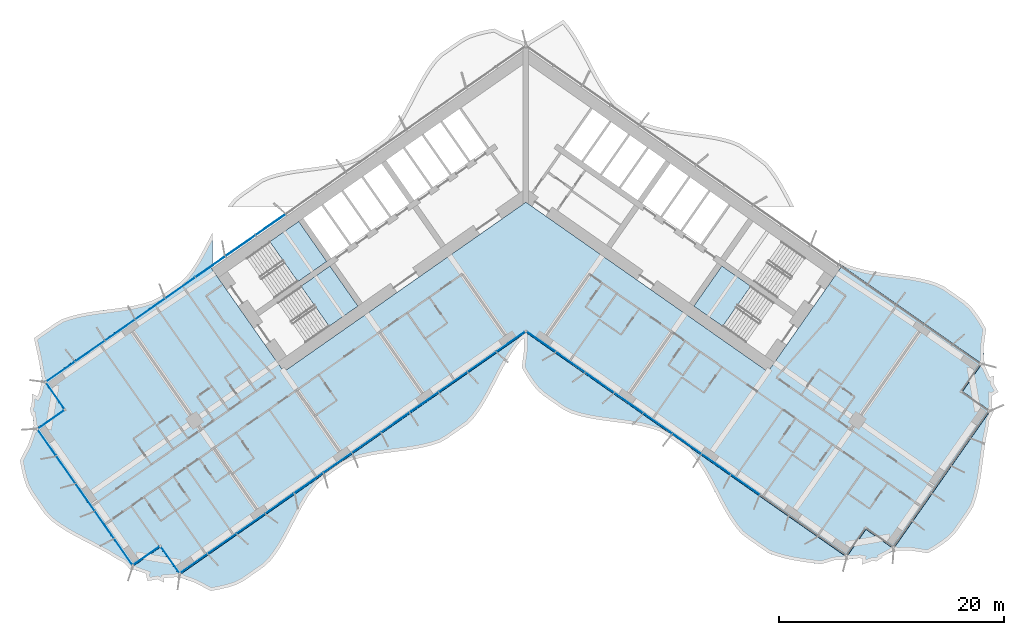
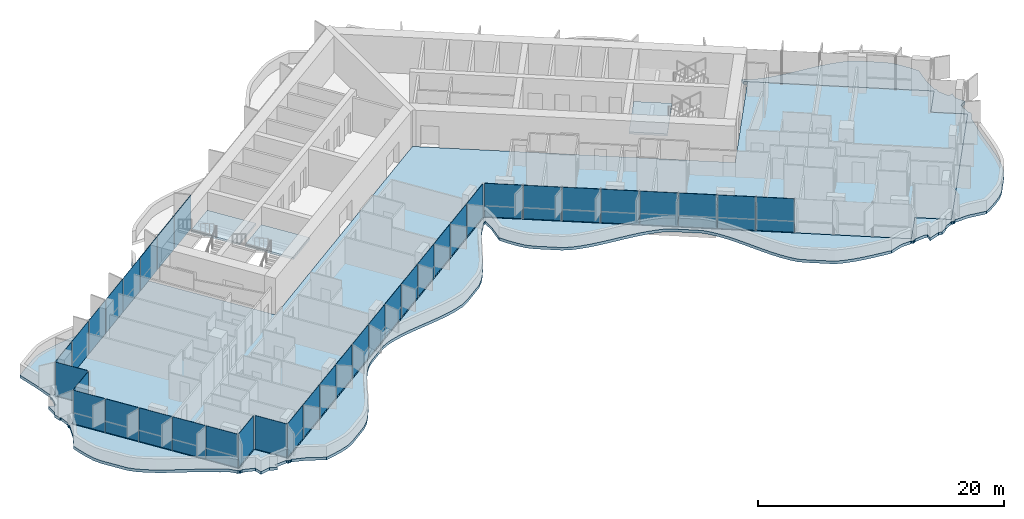
# One storey, part 10 of 24: 37 plates, 5 slabs, 5 elements without a shape of their own.
"""IFC4 building model written with IfcOpenShell, lengths in metres."""

from ifc_helpers import new_model, si_unit, direction, frame, origin, origin_2d, place, context, subcontext, project, spatial, polyline, rectangle, outline, extrude, material, layer, layer_set, type_object, element, aggregate, save


model = new_model("IFC4")

# Units and contexts
model_context = context("Model", 3, precision=1e-05, world=origin(), true_north=direction((0.0, 1.0)))
body_context = subcontext(model_context, "Body", "Model", "MODEL_VIEW")
ifc_project = project(units=[si_unit("LENGTHUNIT", "METRE"), si_unit("AREAUNIT", "SQUARE_METRE"), si_unit("VOLUMEUNIT", "CUBIC_METRE"), si_unit("PLANEANGLEUNIT", "RADIAN"), si_unit("MASSUNIT", "GRAM", prefix="KILO")], contexts=[model_context])

# Site, building, storey
site_placement = place(None, origin())
site = spatial("IfcSite", under=ifc_project, at=site_placement, CompositionType="ELEMENT")
building_placement = place(site_placement, origin())
building = spatial("IfcBuilding", under=site, at=building_placement, Name="Tel Ilan Convention Tower", CompositionType="ELEMENT")
storey_placement = place(building_placement, frame((0.0, 0.0, 90.5)))
storey = spatial("IfcBuildingStorey", under=building, at=storey_placement, Name="L18", CompositionType="ELEMENT", Elevation=90.5)

# Curtain wall, plates
ifc_material_1 = material(Name="Aluminium, bronze anodised", Category="aluminium")
curtain_wall_type_1 = type_object("IfcCurtainWallType", Name="CW1 UNITISED CURTAIN WALL, HOTEL TINTED GLASS", PredefinedType="NOTDEFINED", material=ifc_material_1)
curtain_wall_1_placement = place(storey_placement, origin())
curtain_wall_1 = element("IfcCurtainWall", 1, at=curtain_wall_1_placement, inside=storey, type_object=curtain_wall_type_1, Name="Curtain wall CW1-16.02", PredefinedType="NOTDEFINED")
ifc_material_2 = material(Name="Glass, bronze tinted, two-ply unitised", Category="glass")
ifc_layer_1 = layer(ifc_material_2, 0.028076171875)
ifc_layer_set_1 = layer_set([ifc_layer_1], Name="CW HOTEL GLASS PANEL 28")
plate_type_1 = type_object("IfcPlateType", Name="CW HOTEL GLASS PANEL 28", PredefinedType="CURTAIN_PANEL", material=ifc_layer_set_1)
plate_1_placement = place(storey_placement, frame((-30.765869140625, -8.846435546875, 0.0), z_axis=(0.0, 0.0, 1.0), x_axis=(-0.819152044289, -0.573576436351, 0.0)))
plate_1 = element("IfcPlate", 2, at=plate_1_placement, type_object=plate_type_1, Name="Glass panel", PredefinedType="CURTAIN_PANEL", context=body_context, shape_type="SweptSolid", body=[
    extrude(rectangle(XDim=3.2119140625, YDim=0.028076171875, at=origin_2d()), origin(), (0.0, 0.0, 1.0), 3.320068359375),
])
plate_2_placement = place(storey_placement, frame((-33.446044921875, -10.72314453125, 0.0), z_axis=(0.0, 0.0, 1.0), x_axis=(-0.819152044289, -0.573576436351, 0.0)))
plate_2 = element("IfcPlate", 3, at=plate_2_placement, type_object=plate_type_1, Name="Glass panel", PredefinedType="CURTAIN_PANEL", context=body_context, shape_type="SweptSolid", body=[
    extrude(rectangle(XDim=3.2119140625, YDim=0.028076171875, at=origin_2d()), origin(), (0.0, 0.0, 1.0), 3.320068359375),
])
plate_3_placement = place(storey_placement, frame((-36.12646484375, -12.599853515625, 0.0), z_axis=(0.0, 0.0, 1.0), x_axis=(-0.819152044289, -0.573576436351, 0.0)))
plate_3 = element("IfcPlate", 4, at=plate_3_placement, type_object=plate_type_1, Name="Glass panel", PredefinedType="CURTAIN_PANEL", context=body_context, shape_type="SweptSolid", body=[
    extrude(rectangle(XDim=3.2119140625, YDim=0.028076171875, at=origin_2d()), origin(), (0.0, 0.0, 1.0), 3.320068359375),
])
plate_4_placement = place(storey_placement, frame((-38.806640625, -14.4765625, 0.0), z_axis=(0.0, 0.0, 1.0), x_axis=(-0.819152044289, -0.573576436351, 0.0)))
plate_4 = element("IfcPlate", 5, at=plate_4_placement, type_object=plate_type_1, Name="Glass panel", PredefinedType="CURTAIN_PANEL", context=body_context, shape_type="SweptSolid", body=[
    extrude(rectangle(XDim=3.2119140625, YDim=0.028076171875, at=origin_2d()), origin(), (0.0, 0.0, 1.0), 3.320068359375),
])
plate_5_placement = place(storey_placement, frame((-41.448486328125, -16.326416015625, 0.0), z_axis=(0.0, 0.0, 1.0), x_axis=(-0.819152044289, -0.573576436351, 0.0)))
plate_5 = element("IfcPlate", 6, at=plate_5_placement, type_object=plate_type_1, Name="Glass panel", PredefinedType="CURTAIN_PANEL", context=body_context, shape_type="SweptSolid", body=[
    extrude(rectangle(XDim=3.117919921875, YDim=0.028076171875, at=origin_2d()), origin(), (0.0, 0.0, 1.0), 3.320068359375),
])
plate_6_placement = place(storey_placement, frame((-41.90673828125, -18.431640625, 0.0), z_axis=(0.0, 0.0, 1.0), x_axis=(0.573576436351, -0.819152044289, 0.0)))
plate_6 = element("IfcPlate", 7, at=plate_6_placement, type_object=plate_type_1, Name="Glass panel", PredefinedType="CURTAIN_PANEL", context=body_context, shape_type="SweptSolid", body=[
    extrude(rectangle(XDim=2.875, YDim=0.028076171875, at=origin_2d()), origin(), (0.0, 0.0, 1.0), 3.320068359375),
])
plate_7_placement = place(storey_placement, frame((-42.28466796875, -20.57421875, 0.0), z_axis=(0.0, 0.0, 1.0), x_axis=(-0.819152044289, -0.573576436351, 0.0)))
plate_7 = element("IfcPlate", 8, at=plate_7_placement, type_object=plate_type_1, Name="Glass panel", PredefinedType="CURTAIN_PANEL", context=body_context, shape_type="SweptSolid", body=[
    extrude(rectangle(XDim=2.875, YDim=0.028076171875, at=origin_2d()), origin(), (0.0, 0.0, 1.0), 3.320068359375),
])
plate_8_placement = place(storey_placement, frame((-42.65185546875, -22.597900390625, 0.0), z_axis=(0.0, 0.0, 1.0), x_axis=(0.573576436351, -0.819152044289, 0.0)))
plate_8 = element("IfcPlate", 9, at=plate_8_placement, type_object=plate_type_1, Name="Glass panel", PredefinedType="CURTAIN_PANEL", context=body_context, shape_type="SweptSolid", body=[
    extrude(rectangle(XDim=2.845947265625, YDim=0.028076171875, at=origin_2d()), origin(), (0.0, 0.0, 1.0), 3.320068359375),
])
plate_9_placement = place(storey_placement, frame((-40.9580078125, -25.016845703125, 0.0), z_axis=(0.0, 0.0, 1.0), x_axis=(0.573576436351, -0.819152044289, 0.0)))
plate_9 = element("IfcPlate", 10, at=plate_9_placement, type_object=plate_type_1, Name="Glass panel", PredefinedType="CURTAIN_PANEL", context=body_context, shape_type="SweptSolid", body=[
    extrude(rectangle(XDim=2.93994140625, YDim=0.028076171875, at=origin_2d()), origin(), (0.0, 0.0, 1.0), 3.320068359375),
])
plate_10_placement = place(storey_placement, frame((-39.2373046875, -27.474365234375, 0.0), z_axis=(0.0, 0.0, 1.0), x_axis=(0.573576436351, -0.819152044289, 0.0)))
plate_10 = element("IfcPlate", 11, at=plate_10_placement, type_object=plate_type_1, Name="Glass panel", PredefinedType="CURTAIN_PANEL", context=body_context, shape_type="SweptSolid", body=[
    extrude(rectangle(XDim=2.93994140625, YDim=0.028076171875, at=origin_2d()), origin(), (0.0, 0.0, 1.0), 3.320068359375),
])
plate_11_placement = place(storey_placement, frame((-37.5166015625, -29.931884765625, 0.0), z_axis=(0.0, 0.0, 1.0), x_axis=(0.573576436351, -0.819152044289, 0.0)))
plate_11 = element("IfcPlate", 12, at=plate_11_placement, type_object=plate_type_1, Name="Glass panel", PredefinedType="CURTAIN_PANEL", context=body_context, shape_type="SweptSolid", body=[
    extrude(rectangle(XDim=2.93994140625, YDim=0.028076171875, at=origin_2d()), origin(), (0.0, 0.0, 1.0), 3.320068359375),
])
plate_12_placement = place(storey_placement, frame((-35.822998046875, -32.350830078125, 0.0), z_axis=(0.0, 0.0, 1.0), x_axis=(0.573576436351, -0.819152044289, 0.0)))
plate_12 = element("IfcPlate", 13, at=plate_12_placement, type_object=plate_type_1, Name="Glass panel", PredefinedType="CURTAIN_PANEL", context=body_context, shape_type="SweptSolid", body=[
    extrude(rectangle(XDim=2.845947265625, YDim=0.028076171875, at=origin_2d()), origin(), (0.0, 0.0, 1.0), 3.320068359375),
])
plate_13_placement = place(storey_placement, frame((-33.795654296875, -32.69775390625, 0.0), z_axis=(0.0, 0.0, 1.0), x_axis=(0.819152044289, 0.573576436351, 0.0)))
plate_13 = element("IfcPlate", 14, at=plate_13_placement, type_object=plate_type_1, Name="Glass panel", PredefinedType="CURTAIN_PANEL", context=body_context, shape_type="SweptSolid", body=[
    extrude(rectangle(XDim=2.875, YDim=0.028076171875, at=origin_2d()), origin(), (0.0, 0.0, 1.0), 3.320068359375),
])
plate_14_placement = place(storey_placement, frame((-31.653076171875, -33.07568359375, 0.0), z_axis=(0.0, 0.0, 1.0), x_axis=(0.573576436351, -0.819152044289, 0.0)))
plate_14 = element("IfcPlate", 15, at=plate_14_placement, type_object=plate_type_1, Name="Glass panel", PredefinedType="CURTAIN_PANEL", context=body_context, shape_type="SweptSolid", body=[
    extrude(rectangle(XDim=2.875, YDim=0.028076171875, at=origin_2d()), origin(), (0.0, 0.0, 1.0), 3.320068359375),
])
plate_15_placement = place(storey_placement, frame((-29.5732421875, -33.4033203125, 0.0), z_axis=(0.0, 0.0, 1.0), x_axis=(0.819152044289, 0.573576436351, 0.0)))
plate_15 = element("IfcPlate", 16, at=plate_15_placement, type_object=plate_type_1, Name="Glass panel", PredefinedType="CURTAIN_PANEL", context=body_context, shape_type="SweptSolid", body=[
    extrude(rectangle(XDim=2.9833984375, YDim=0.028076171875, at=origin_2d()), origin(), (0.0, 0.0, 1.0), 3.320068359375),
])
plate_16_placement = place(storey_placement, frame((-27.041748046875, -31.630859375, 0.0), z_axis=(0.0, 0.0, 1.0), x_axis=(0.819152044289, 0.573576436351, 0.0)))
plate_16 = element("IfcPlate", 17, at=plate_16_placement, type_object=plate_type_1, Name="Glass panel", PredefinedType="CURTAIN_PANEL", context=body_context, shape_type="SweptSolid", body=[
    extrude(rectangle(XDim=3.077392578125, YDim=0.028076171875, at=origin_2d()), origin(), (0.0, 0.0, 1.0), 3.320068359375),
])
plate_17_placement = place(storey_placement, frame((-24.4716796875, -29.831298828125, 0.0), z_axis=(0.0, 0.0, 1.0), x_axis=(0.819152044289, 0.573576436351, 0.0)))
plate_17 = element("IfcPlate", 18, at=plate_17_placement, type_object=plate_type_1, Name="Glass panel", PredefinedType="CURTAIN_PANEL", context=body_context, shape_type="SweptSolid", body=[
    extrude(rectangle(XDim=3.077392578125, YDim=0.028076171875, at=origin_2d()), origin(), (0.0, 0.0, 1.0), 3.320068359375),
])
plate_18_placement = place(storey_placement, frame((-21.90185546875, -28.031982421875, 0.0), z_axis=(0.0, 0.0, 1.0), x_axis=(0.819152044289, 0.573576436351, 0.0)))
plate_18 = element("IfcPlate", 19, at=plate_18_placement, type_object=plate_type_1, Name="Glass panel", PredefinedType="CURTAIN_PANEL", context=body_context, shape_type="SweptSolid", body=[
    extrude(rectangle(XDim=3.077392578125, YDim=0.028076171875, at=origin_2d()), origin(), (0.0, 0.0, 1.0), 3.320068359375),
])
plate_19_placement = place(storey_placement, frame((-19.33203125, -26.232421875, 0.0), z_axis=(0.0, 0.0, 1.0), x_axis=(0.819152044289, 0.573576436351, 0.0)))
plate_19 = element("IfcPlate", 20, at=plate_19_placement, type_object=plate_type_1, Name="Glass panel", PredefinedType="CURTAIN_PANEL", context=body_context, shape_type="SweptSolid", body=[
    extrude(rectangle(XDim=3.077392578125, YDim=0.028076171875, at=origin_2d()), origin(), (0.0, 0.0, 1.0), 3.320068359375),
])
plate_20_placement = place(storey_placement, frame((-16.761962890625, -24.432861328125, 0.0), z_axis=(0.0, 0.0, 1.0), x_axis=(0.819152044289, 0.573576436351, 0.0)))
plate_20 = element("IfcPlate", 21, at=plate_20_placement, type_object=plate_type_1, Name="Glass panel", PredefinedType="CURTAIN_PANEL", context=body_context, shape_type="SweptSolid", body=[
    extrude(rectangle(XDim=3.077392578125, YDim=0.028076171875, at=origin_2d()), origin(), (0.0, 0.0, 1.0), 3.320068359375),
])
plate_21_placement = place(storey_placement, frame((-14.192138671875, -22.633544921875, 0.0), z_axis=(0.0, 0.0, 1.0), x_axis=(0.819152044289, 0.573576436351, 0.0)))
plate_21 = element("IfcPlate", 22, at=plate_21_placement, type_object=plate_type_1, Name="Glass panel", PredefinedType="CURTAIN_PANEL", context=body_context, shape_type="SweptSolid", body=[
    extrude(rectangle(XDim=3.077392578125, YDim=0.028076171875, at=origin_2d()), origin(), (0.0, 0.0, 1.0), 3.320068359375),
])
plate_22_placement = place(storey_placement, frame((-11.6220703125, -20.833984375, 0.0), z_axis=(0.0, 0.0, 1.0), x_axis=(0.819152044289, 0.573576436351, 0.0)))
plate_22 = element("IfcPlate", 23, at=plate_22_placement, type_object=plate_type_1, Name="Glass panel", PredefinedType="CURTAIN_PANEL", context=body_context, shape_type="SweptSolid", body=[
    extrude(rectangle(XDim=3.077392578125, YDim=0.028076171875, at=origin_2d()), origin(), (0.0, 0.0, 1.0), 3.320068359375),
])
plate_23_placement = place(storey_placement, frame((-9.05224609375, -19.034423828125, 0.0), z_axis=(0.0, 0.0, 1.0), x_axis=(0.819152044289, 0.573576436351, 0.0)))
plate_23 = element("IfcPlate", 24, at=plate_23_placement, type_object=plate_type_1, Name="Glass panel", PredefinedType="CURTAIN_PANEL", context=body_context, shape_type="SweptSolid", body=[
    extrude(rectangle(XDim=3.077392578125, YDim=0.028076171875, at=origin_2d()), origin(), (0.0, 0.0, 1.0), 3.320068359375),
])
plate_24_placement = place(storey_placement, frame((-6.482177734375, -17.23486328125, 0.0), z_axis=(0.0, 0.0, 1.0), x_axis=(0.819152044289, 0.573576436351, 0.0)))
plate_24 = element("IfcPlate", 25, at=plate_24_placement, type_object=plate_type_1, Name="Glass panel", PredefinedType="CURTAIN_PANEL", context=body_context, shape_type="SweptSolid", body=[
    extrude(rectangle(XDim=3.077392578125, YDim=0.028076171875, at=origin_2d()), origin(), (0.0, 0.0, 1.0), 3.320068359375),
])
plate_25_placement = place(storey_placement, frame((-3.912353515625, -15.435546875, 0.0), z_axis=(0.0, 0.0, 1.0), x_axis=(0.819152044289, 0.573576436351, 0.0)))
plate_25 = element("IfcPlate", 26, at=plate_25_placement, type_object=plate_type_1, Name="Glass panel", PredefinedType="CURTAIN_PANEL", context=body_context, shape_type="SweptSolid", body=[
    extrude(rectangle(XDim=3.077392578125, YDim=0.028076171875, at=origin_2d()), origin(), (0.0, 0.0, 1.0), 3.320068359375),
])
plate_26_placement = place(storey_placement, frame((-1.3427734375, -13.63623046875, 0.0), z_axis=(0.0, 0.0, 1.0), x_axis=(0.819152044289, 0.573576436351, 0.0)))
plate_26 = element("IfcPlate", 27, at=plate_26_placement, type_object=plate_type_1, Name="Glass panel", PredefinedType="CURTAIN_PANEL", context=body_context, shape_type="SweptSolid", body=[
    extrude(rectangle(XDim=3.076416015625, YDim=0.028076171875, at=origin_2d()), origin(), (0.0, 0.0, 1.0), 3.320068359375),
])
plate_27_placement = place(storey_placement, frame((1.366943359375, -13.653076171875, 0.0), z_axis=(0.0, 0.0, 1.0), x_axis=(0.819152044289, -0.573576436351, 0.0)))
plate_27 = element("IfcPlate", 28, at=plate_27_placement, type_object=plate_type_1, Name="Glass panel", PredefinedType="CURTAIN_PANEL", context=body_context, shape_type="SweptSolid", body=[
    extrude(rectangle(XDim=3.078857421875, YDim=0.028076171875, at=origin_2d()), origin(), (0.0, 0.0, 1.0), 3.320068359375),
])
plate_28_placement = place(storey_placement, frame((3.949951171875, -15.4619140625, 0.0), z_axis=(0.0, 0.0, 1.0), x_axis=(0.819152044289, -0.573576436351, 0.0)))
plate_28 = element("IfcPlate", 29, at=plate_28_placement, type_object=plate_type_1, Name="Glass panel", PredefinedType="CURTAIN_PANEL", context=body_context, shape_type="SweptSolid", body=[
    extrude(rectangle(XDim=3.10791015625, YDim=0.028076171875, at=origin_2d()), origin(), (0.0, 0.0, 1.0), 3.320068359375),
])
plate_29_placement = place(storey_placement, frame((6.544921875, -17.27880859375, 0.0), z_axis=(0.0, 0.0, 1.0), x_axis=(0.819152044289, -0.573576436351, 0.0)))
plate_29 = element("IfcPlate", 30, at=plate_29_placement, type_object=plate_type_1, Name="Glass panel", PredefinedType="CURTAIN_PANEL", context=body_context, shape_type="SweptSolid", body=[
    extrude(rectangle(XDim=3.10791015625, YDim=0.028076171875, at=origin_2d()), origin(), (0.0, 0.0, 1.0), 3.320068359375),
])
plate_30_placement = place(storey_placement, frame((9.14013671875, -19.095947265625, 0.0), z_axis=(0.0, 0.0, 1.0), x_axis=(0.819152044289, -0.573576436351, 0.0)))
plate_30 = element("IfcPlate", 31, at=plate_30_placement, type_object=plate_type_1, Name="Glass panel", PredefinedType="CURTAIN_PANEL", context=body_context, shape_type="SweptSolid", body=[
    extrude(rectangle(XDim=3.10791015625, YDim=0.028076171875, at=origin_2d()), origin(), (0.0, 0.0, 1.0), 3.320068359375),
])
plate_31_placement = place(storey_placement, frame((11.735107421875, -20.9130859375, 0.0), z_axis=(0.0, 0.0, 1.0), x_axis=(0.819152044289, -0.573576436351, 0.0)))
plate_31 = element("IfcPlate", 32, at=plate_31_placement, type_object=plate_type_1, Name="Glass panel", PredefinedType="CURTAIN_PANEL", context=body_context, shape_type="SweptSolid", body=[
    extrude(rectangle(XDim=3.10791015625, YDim=0.028076171875, at=origin_2d()), origin(), (0.0, 0.0, 1.0), 3.320068359375),
])
plate_32_placement = place(storey_placement, frame((14.330078125, -22.730224609375, 0.0), z_axis=(0.0, 0.0, 1.0), x_axis=(0.819152044289, -0.573576436351, 0.0)))
plate_32 = element("IfcPlate", 33, at=plate_32_placement, type_object=plate_type_1, Name="Glass panel", PredefinedType="CURTAIN_PANEL", context=body_context, shape_type="SweptSolid", body=[
    extrude(rectangle(XDim=3.10791015625, YDim=0.028076171875, at=origin_2d()), origin(), (0.0, 0.0, 1.0), 3.320068359375),
])
plate_33_placement = place(storey_placement, frame((16.92529296875, -24.54736328125, 0.0), z_axis=(0.0, 0.0, 1.0), x_axis=(0.819152044289, -0.573576436351, 0.0)))
plate_33 = element("IfcPlate", 34, at=plate_33_placement, type_object=plate_type_1, Name="Glass panel", PredefinedType="CURTAIN_PANEL", context=body_context, shape_type="SweptSolid", body=[
    extrude(rectangle(XDim=3.10791015625, YDim=0.028076171875, at=origin_2d()), origin(), (0.0, 0.0, 1.0), 3.320068359375),
])
plate_34_placement = place(storey_placement, frame((19.520263671875, -26.3642578125, 0.0), z_axis=(0.0, 0.0, 1.0), x_axis=(0.819152044289, -0.573576436351, 0.0)))
plate_34 = element("IfcPlate", 35, at=plate_34_placement, type_object=plate_type_1, Name="Glass panel", PredefinedType="CURTAIN_PANEL", context=body_context, shape_type="SweptSolid", body=[
    extrude(rectangle(XDim=3.10791015625, YDim=0.028076171875, at=origin_2d()), origin(), (0.0, 0.0, 1.0), 3.320068359375),
])
aggregate(curtain_wall_1, [plate_1, plate_2, plate_3, plate_4, plate_5, plate_6, plate_7, plate_8, plate_9, plate_10, plate_11, plate_12, plate_13, plate_14, plate_15, plate_16, plate_17, plate_18, plate_19, plate_20, plate_21, plate_22, plate_23, plate_24, plate_25, plate_26, plate_27, plate_28, plate_29, plate_30, plate_31, plate_32, plate_33, plate_34])

ifc_material_3 = material(Name="Aluminium, bronze anodised", Category="aluminium")
curtain_wall_type_2 = type_object("IfcCurtainWallType", Name="CW2 STICK CURTAIN WALL, SPANDREL PANELS", PredefinedType="NOTDEFINED", material=ifc_material_3)
curtain_wall_2_placement = place(storey_placement, origin())
curtain_wall_2 = element("IfcCurtainWall", 36, at=curtain_wall_2_placement, inside=storey, type_object=curtain_wall_type_2, Name="Curtain wall CW2-16.01", PredefinedType="NOTDEFINED")
ifc_material_4 = material(Name="Aluminium composite panel, bronze anodised", Category="aluminium")
ifc_layer_2 = layer(ifc_material_4, 0.06005859375)
ifc_layer_set_2 = layer_set([ifc_layer_2], Name="CW SPANDREL PANEL 60")
plate_type_2 = type_object("IfcPlateType", Name="CW SPANDREL PANEL 60", PredefinedType="CURTAIN_PANEL", material=ifc_layer_set_2)
plate_35_placement = place(storey_placement, frame((-22.72509765625, -3.216064453125, 0.0), z_axis=(0.0, 0.0, 1.0), x_axis=(-0.819152044289, -0.573576436351, 0.0)))
plate_35 = element("IfcPlate", 37, at=plate_35_placement, type_object=plate_type_2, Name="Spandrel panel", PredefinedType="CURTAIN_PANEL", context=body_context, shape_type="SweptSolid", body=[
    extrude(rectangle(XDim=3.2119140625, YDim=0.06005859375, at=origin_2d()), origin(), (0.0, 0.0, 1.0), 3.320068359375),
])
plate_36_placement = place(storey_placement, frame((-25.4052734375, -5.0927734375, 0.0), z_axis=(0.0, 0.0, 1.0), x_axis=(-0.819152044289, -0.573576436351, 0.0)))
plate_36 = element("IfcPlate", 38, at=plate_36_placement, type_object=plate_type_2, Name="Spandrel panel", PredefinedType="CURTAIN_PANEL", context=body_context, shape_type="SweptSolid", body=[
    extrude(rectangle(XDim=3.2119140625, YDim=0.06005859375, at=origin_2d()), origin(), (0.0, 0.0, 1.0), 3.320068359375),
])
plate_37_placement = place(storey_placement, frame((-28.08544921875, -6.9697265625, 0.0), z_axis=(0.0, 0.0, 1.0), x_axis=(-0.819152044289, -0.573576436351, 0.0)))
plate_37 = element("IfcPlate", 39, at=plate_37_placement, type_object=plate_type_2, Name="Spandrel panel", PredefinedType="CURTAIN_PANEL", context=body_context, shape_type="SweptSolid", body=[
    extrude(rectangle(XDim=3.2119140625, YDim=0.06005859375, at=origin_2d()), origin(), (0.0, 0.0, 1.0), 3.320068359375),
])
aggregate(curtain_wall_2, [plate_35, plate_36, plate_37])

# Stair, slab
ifc_material_5 = material(Name="Concrete C40/50", Category="concrete")
stair_type = type_object("IfcStairType", Name="Pressurised Exit Stair 20 risers 180 mm", PredefinedType="HALF_TURN_STAIR", material=ifc_material_5)
stair_1_placement = place(storey_placement, origin())
stair_1 = element("IfcStair", 40, at=stair_1_placement, inside=storey, type_object=stair_type, Name="L18 Pressurised Stair S1", PredefinedType="HALF_TURN_STAIR")
ifc_material_6 = material(Name="Concrete C40/50", Category="concrete")
ifc_layer_3 = layer(ifc_material_6, 0.199951171875)
ifc_layer_set_3 = layer_set([ifc_layer_3], Name="Concrete Stair Landing 200 mm C40/50")
slab_type_1 = type_object("IfcSlabType", Name="Concrete Stair Landing 200 mm", PredefinedType="LANDING", material=ifc_layer_set_3)
slab_1_placement = place(storey_placement, frame((0.0, 0.0, 1.60009765625)))
slab_1 = element("IfcSlab", 41, at=slab_1_placement, type_object=slab_type_1, Name="S1 landing 1", PredefinedType="LANDING", context=body_context, shape_type="SweptSolid", body=[
    extrude(outline(polyline([(-20.2958984375, -8.29052734375), (-17.7314453125, -6.494873046875), (-20.226318359375, -2.931640625), (-22.791015625, -4.727294921875), (-20.2958984375, -8.29052734375)])), origin(), (0.0, 0.0, 1.0), 0.199951171875),
])
aggregate(stair_1, [slab_1])

stair_2_placement = place(storey_placement, origin())
stair_2 = element("IfcStair", 42, at=stair_2_placement, inside=storey, type_object=stair_type, Name="L18 Pressurised Stair S2", PredefinedType="HALF_TURN_STAIR")
slab_2_placement = place(storey_placement, frame((0.0, 0.0, 1.60009765625)))
slab_2 = element("IfcSlab", 43, at=slab_2_placement, type_object=slab_type_1, Name="S2 landing 1", PredefinedType="LANDING", context=body_context, shape_type="SweptSolid", body=[
    extrude(outline(polyline([(-17.51416015625, -12.263427734375), (-14.949462890625, -10.4677734375), (-17.444580078125, -6.904541015625), (-20.00927734375, -8.7001953125), (-17.51416015625, -12.263427734375)])), origin(), (0.0, 0.0, 1.0), 0.199951171875),
])
aggregate(stair_2, [slab_2])

stair_3_placement = place(storey_placement, origin())
stair_3 = element("IfcStair", 44, at=stair_3_placement, inside=storey, type_object=stair_type, Name="L18 Pressurised Stair S4", PredefinedType="HALF_TURN_STAIR")
slab_3_placement = place(storey_placement, frame((0.0, 0.0, 1.60009765625)))
slab_3 = element("IfcSlab", 45, at=slab_3_placement, type_object=slab_type_1, Name="S4 landing 1", PredefinedType="LANDING", context=body_context, shape_type="SweptSolid", body=[
    extrude(outline(polyline([(20.00927734375, -8.7001953125), (17.444580078125, -6.904541015625), (14.949462890625, -10.4677734375), (17.51416015625, -12.263427734375), (20.00927734375, -8.7001953125)])), origin(), (0.0, 0.0, 1.0), 0.199951171875),
])
aggregate(stair_3, [slab_3])

# Slabs
ifc_material_7 = material(Name="Concrete C40/50", Category="concrete")
ifc_layer_4 = layer(ifc_material_7, 0.280029296875)
ifc_layer_set_4 = layer_set([ifc_layer_4], Name="Edge Ledge Slab 280 mm C40/50")
slab_type_2 = type_object("IfcSlabType", Name="Edge Ledge Slab 280 mm C40/50", PredefinedType="FLOOR", material=ifc_layer_set_4)
slab_4_placement = place(storey_placement, frame((0.0, 0.0, -0.280029296875)))
element("IfcSlab", 46, at=slab_4_placement, inside=storey, type_object=slab_type_2, Name="L18 edge ledge 1", PredefinedType="FLOOR", context=body_context, shape_type="SweptSolid", body=[
    extrude(outline(polyline([(-32.20068359375, -35.082763671875), (-32.80029296875, -34.77490234375), (-33.688720703125, -34.9423828125), (-33.821533203125, -34.302734375), (-33.810546875, -34.284912109375), (-34.845458984375, -33.921142578125), (-34.8486328125, -33.91650390625), (-34.902587890625, -33.952392578125), (-35.017578125, -33.975341796875), (-35.13232421875, -33.952392578125), (-35.2294921875, -33.887451171875), (-35.258544921875, -33.843994140625), (-35.26318359375, -33.847412109375), (-35.783203125, -33.2958984375), (-36.523681640625, -32.89892578125), (-37.22021484375, -32.470703125), (-37.94970703125, -32.066162109375), (-38.698486328125, -31.6748046875), (-39.452392578125, -31.287353515625), (-40.196533203125, -30.892578125), (-40.91650390625, -30.481201171875), (-41.59912109375, -30.04345703125), (-42.232421875, -29.571533203125), (-42.7802734375, -29.03955078125), (-44.07080078125, -27.1962890625), (-44.438720703125, -26.538330078125), (-44.68408203125, -25.794677734375), (-44.876953125, -25.01416015625), (-45.028564453125, -24.20458984375), (-44.2939453125, -22.77490234375), (-43.866943359375, -21.56005859375), (-43.8623046875, -21.556884765625), (-43.898193359375, -21.502685546875), (-43.921142578125, -21.387939453125), (-43.898193359375, -21.273193359375), (-43.833251953125, -21.17578125), (-43.789794921875, -21.14697265625), (-43.793212890625, -21.142333984375), (-43.909912109375, -20.177978515625), (-44.01318359375, -20.197509765625), (-44.14599609375, -19.55810546875), (-43.9833984375, -19.29150390625), (-43.980224609375, -18.259765625), (-43.50390625, -18.504638671875), (-43.3671875, -18.2802734375), (-43.130126953125, -17.3818359375), (-43.12548828125, -17.378662109375), (-43.16162109375, -17.32470703125), (-43.184326171875, -17.209716796875), (-43.16162109375, -17.094970703125), (-43.096435546875, -16.997802734375), (-43.05322265625, -16.96875), (-43.056396484375, -16.964111328125), (-43.364990234375, -15.219482421875), (-43.78125, -13.321044921875), (-43.168701171875, -12.89208984375), (-41.943603515625, -12.0341796875), (-41.30322265625, -11.64453125), (-40.56787109375, -11.390869140625), (-39.794921875, -11.19091796875), (-38.99169921875, -11.033935546875), (-38.1669921875, -10.90771484375), (-37.33056640625, -10.798583984375), (-36.4921875, -10.69189453125), (-35.66259765625, -10.572998046875), (-34.851318359375, -10.427734375), (-34.067138671875, -10.243408203125), (-33.318603515625, -10.0087890625), (-32.6416015625, -9.671630859375), (-30.8037109375, -8.384765625), (-30.250244140625, -7.87109375), (-29.772216796875, -7.250244140625), (-29.329345703125, -6.57861328125), (-28.91455078125, -5.8671875), (-28.518310546875, -5.129150390625), (-28.131103515625, -4.378173828125), (-27.875, -3.883544921875), (-27.875, -6.7001953125), (-42.884521484375, -17.209716796875), (-41.163818359375, -19.667236328125), (-43.62109375, -21.387939453125), (-35.017578125, -33.67529296875), (-32.56005859375, -31.95458984375), (-30.83935546875, -34.412109375), (0.0, -12.818115234375), (28.545654296875, -32.805908203125), (30.266357421875, -30.3486328125), (32.723876953125, -32.0693359375), (41.327392578125, -19.781982421875), (38.8701171875, -18.061279296875), (40.5908203125, -15.603759765625), (27.875, -6.7001953125), (27.875, -6.333740234375), (28.040283203125, -6.44970703125), (28.68408203125, -6.820068359375), (29.414794921875, -7.0654296875), (30.181884765625, -7.259521484375), (30.97802734375, -7.412109375), (31.79443359375, -7.535400390625), (32.6220703125, -7.64306640625), (33.450927734375, -7.748779296875), (34.27099609375, -7.86669921875), (35.072998046875, -8.0107421875), (35.84814453125, -8.193115234375), (36.5888671875, -8.4248046875), (37.260498046875, -8.755126953125), (39.077880859375, -10.027587890625), (39.63232421875, -10.525390625), (40.108154296875, -11.13525390625), (40.548583984375, -11.795654296875), (40.96044921875, -12.496826171875), (40.743408203125, -14.096435546875), (40.7626953125, -15.358154296875), (40.759521484375, -15.36279296875), (40.802978515625, -15.3916015625), (40.867919921875, -15.489013671875), (40.890869140625, -15.603759765625), (40.867919921875, -15.718505859375), (40.831787109375, -15.772705078125), (40.83642578125, -15.77587890625), (41.29638671875, -16.79443359375), (41.686767578125, -16.65380859375), (41.602294921875, -17.322509765625), (42.063720703125, -18.10009765625), (41.508056640625, -18.443603515625), (41.487548828125, -18.439453125), (41.49951171875, -19.536376953125), (41.496337890625, -19.541015625), (41.53955078125, -19.56982421875), (41.604736328125, -19.667236328125), (41.62744140625, -19.781982421875), (41.604736328125, -19.896728515625), (41.568603515625, -19.95068359375), (41.5732421875, -19.9541015625), (41.24267578125, -20.594482421875), (41.12841796875, -21.386474609375), (40.97021484375, -22.147705078125), (40.841064453125, -22.929443359375), (40.732421875, -23.72509765625), (40.631103515625, -24.5263671875), (40.52490234375, -25.323974609375), (40.40087890625, -26.10888671875), (40.247314453125, -26.87353515625), (40.0537109375, -27.60986328125), (39.810791015625, -28.311767578125), (39.44189453125, -28.925537109375), (38.212890625, -30.680908203125), (37.701904296875, -31.195068359375), (37.104736328125, -31.64892578125), (36.4619140625, -32.07080078125), (35.769775390625, -32.4580078125), (34.16845703125, -32.208740234375), (32.969482421875, -32.241455078125), (32.96484375, -32.238037109375), (32.93603515625, -32.281494140625), (32.838623046875, -32.346435546875), (32.723876953125, -32.369384765625), (32.60888671875, -32.346435546875), (32.554931640625, -32.310302734375), (32.5517578125, -32.31494140625), (31.685546875, -32.75439453125), (31.7392578125, -32.8447265625), (31.18359375, -33.188232421875), (30.877685546875, -33.126708984375), (29.9072265625, -33.476806640625), (29.97412109375, -32.9453125), (29.716796875, -32.8935546875), (28.79150390625, -32.97802734375), (28.78662109375, -32.974853515625), (28.7578125, -33.018310546875), (28.660400390625, -33.083251953125), (28.545654296875, -33.10595703125), (28.430908203125, -33.083251953125), (28.376953125, -33.047119140625), (28.37353515625, -33.0517578125), (27.44921875, -33.079345703125), (26.29443359375, -33.435546875), (25.462646484375, -33.3310546875), (24.635986328125, -33.218994140625), (23.824462890625, -33.08544921875), (23.03662109375, -32.91748046875), (22.281005859375, -32.7041015625), (21.564697265625, -32.434814453125), (19.742431640625, -31.158935546875), (19.1513671875, -30.71044921875), (18.660888671875, -30.1181640625), (18.2080078125, -29.47216796875), (17.785888671875, -28.782470703125), (17.38623046875, -28.060546875), (16.999755859375, -27.31982421875), (16.61669921875, -26.574462890625), (16.2265625, -25.838623046875), (15.8203125, -25.12646484375), (15.388427734375, -24.450439453125), (14.92333984375, -23.822021484375), (14.404296875, -23.2705078125), (12.58251953125, -21.99462890625), (11.9423828125, -21.61572265625), (11.211669921875, -21.366943359375), (10.444091796875, -21.17041015625), (9.647216796875, -21.015625), (8.829345703125, -20.89111328125), (8.0, -20.782958984375), (7.1689453125, -20.677001953125), (6.34619140625, -20.559326171875), (5.54150390625, -20.416015625), (4.763427734375, -20.234375), (4.02001953125, -20.003662109375), (3.343994140625, -19.676513671875), (1.52197265625, -18.400634765625), (0.964599609375, -17.90380859375), (0.4873046875, -17.293212890625), (0.04541015625, -16.631591796875), (-0.367919921875, -15.928955078125), (-0.153564453125, -14.330078125), (-0.16845703125, -13.315185546875), (-0.422119140625, -13.502197265625), (-0.897216796875, -14.110595703125), (-1.346435546875, -14.75634765625), (-1.765380859375, -15.44482421875), (-2.16259765625, -16.16455078125), (-2.547119140625, -16.90234375), (-2.9287109375, -17.644287109375), (-3.3173828125, -18.37646484375), (-3.722412109375, -19.0849609375), (-4.15283203125, -19.757080078125), (-4.616455078125, -20.38232421875), (-5.134033203125, -20.929931640625), (-6.947998046875, -22.2001953125), (-7.584228515625, -22.57861328125), (-8.311279296875, -22.8271484375), (-9.074951171875, -23.023681640625), (-9.867919921875, -23.178466796875), (-10.681640625, -23.30322265625), (-11.507080078125, -23.4111328125), (-12.334716796875, -23.516357421875), (-13.154296875, -23.6328125), (-13.95654296875, -23.774169921875), (-14.732666015625, -23.952880859375), (-15.474853515625, -24.1796875), (-16.154541015625, -24.495849609375), (-17.364013671875, -25.3427734375), (-17.96875, -25.76611328125), (-18.531494140625, -26.249267578125), (-19.010009765625, -26.85302734375), (-19.45263671875, -27.5078125), (-19.86669921875, -28.20361328125), (-20.2607421875, -28.927978515625), (-20.643798828125, -29.66748046875), (-21.02587890625, -30.40869140625), (-21.4169921875, -31.13720703125), (-21.826416015625, -31.839599609375), (-22.262939453125, -32.50341796875), (-22.733642578125, -33.117919921875), (-23.27490234375, -33.632080078125), (-25.0888671875, -34.90234375), (-25.74609375, -35.2509765625), (-26.48095703125, -35.488525390625), (-27.250732421875, -35.676025390625), (-28.049560546875, -35.822265625), (-29.47802734375, -35.069091796875), (-30.667236328125, -34.65771484375), (-30.67041015625, -34.653076171875), (-30.724609375, -34.689208984375), (-30.83935546875, -34.7119140625), (-30.9541015625, -34.689208984375), (-31.051513671875, -34.624267578125), (-31.080322265625, -34.580810546875), (-31.0849609375, -34.583984375), (-32.199462890625, -34.66796875), (-32.20068359375, -35.082763671875)])), origin(), (0.0, 0.0, 1.0), 0.280029296875),
])
ifc_material_8 = material(Name="Concrete C40/50", Category="concrete")
ifc_layer_5 = layer(ifc_material_8, 0.280029296875)
ifc_layer_set_5 = layer_set([ifc_layer_5], Name="Flat Plate Floor Slab 280 mm C40/50")
slab_type_3 = type_object("IfcSlabType", Name="Flat Plate Floor Slab 280 mm C40/50", PredefinedType="FLOOR", material=ifc_layer_set_5)
slab_5_placement = place(storey_placement, frame((0.0, 0.0, -0.280029296875)))
element("IfcSlab", 47, at=slab_5_placement, inside=storey, type_object=slab_type_3, Name="L18 floor slab", PredefinedType="FLOOR", context=body_context, shape_type="SweptSolid", body=[
    extrude(outline(polyline([(21.54345703125, -16.3056640625), (28.1396484375, -6.885498046875), (40.5908203125, -15.603759765625), (38.8701171875, -18.061279296875), (41.327392578125, -19.781982421875), (32.723876953125, -32.0693359375), (30.266357421875, -30.3486328125), (28.545654296875, -32.805908203125), (0.0, -12.818115234375), (-30.83935546875, -34.412109375), (-32.56005859375, -31.95458984375), (-35.017578125, -33.67529296875), (-43.62109375, -21.387939453125), (-41.163818359375, -19.667236328125), (-42.884521484375, -17.209716796875), (-28.1396484375, -6.885498046875), (-21.54345703125, -16.3056640625), (0.0, -1.220703125), (21.54345703125, -16.3056640625)])), origin(), (0.0, 0.0, 1.0), 0.280029296875),
])

save(model, "model.ifc")
